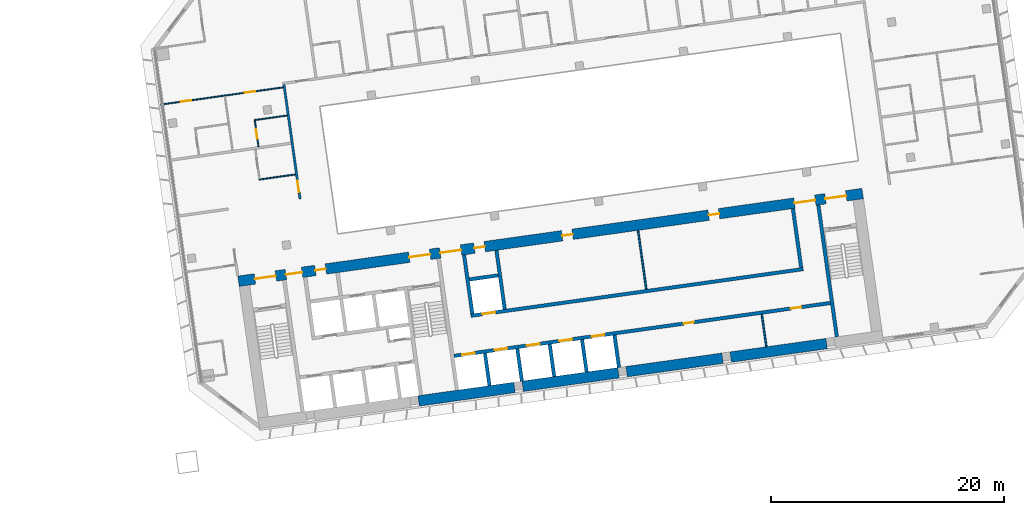
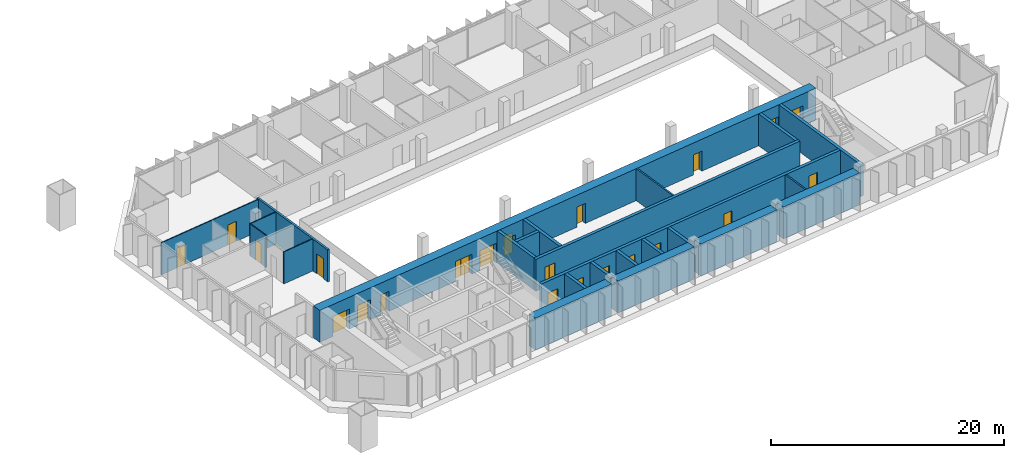
# One storey, part 19 of 24: 24 walls, 22 doors, 22 openings.
"""IFC4 building model written with IfcOpenShell, lengths in metres."""

from ifc_helpers import new_model, si_unit, direction, frame, frame_2d, origin, place, context, subcontext, project, spatial, rectangle, extrude, material, layer, layer_set, type_object, element, fill, save


model = new_model("IFC4")

# Units and contexts
model_context = context("Model", 3, precision=1e-05, world=origin(), true_north=direction((0.0, 1.0)))
body_context = subcontext(model_context, "Body", "Model", "MODEL_VIEW")
ifc_project = project(units=[si_unit("LENGTHUNIT", "METRE"), si_unit("AREAUNIT", "SQUARE_METRE"), si_unit("VOLUMEUNIT", "CUBIC_METRE"), si_unit("PLANEANGLEUNIT", "RADIAN"), si_unit("MASSUNIT", "GRAM", prefix="KILO")], contexts=[model_context])

# Site, building, storey
site_placement = place(None, origin())
site = spatial("IfcSite", under=ifc_project, at=site_placement, CompositionType="ELEMENT")
building_placement = place(site_placement, origin())
building = spatial("IfcBuilding", under=site, at=building_placement, Name="Mirante Cascada Hotel Towers", CompositionType="ELEMENT")
storey_placement = place(building_placement, frame((0.0, 0.0, 47.1)))
storey = spatial("IfcBuildingStorey", under=building, at=storey_placement, Name="L08", CompositionType="ELEMENT", Elevation=47.1)

# Wall, opening, door
ifc_material_1 = material(Name="Fire-rated plasterboard on metal studs")
ifc_layer_1 = layer(ifc_material_1, 0.2)
ifc_layer_set_1 = layer_set([ifc_layer_1], Name="Compartment wall 200 EI 120")
wall_type_1 = type_object("IfcWallType", Name="Compartment wall 200 EI 120", PredefinedType="PARTITIONING", material=ifc_layer_set_1)
wall_1_placement = place(storey_placement, frame((39.2181, 9.2928, 0.0), z_axis=(0.0, 0.0, 1.0), x_axis=(0.1391725, -0.9902682, 0.0)))
wall_1 = element("IfcWall", 1, at=wall_1_placement, inside=storey, type_object=wall_type_1, Name="Wall 2-L08-34", PredefinedType="PARTITIONING", context=body_context, shape_type="SweptSolid", body=[
    extrude(rectangle(XDim=9.8999, YDim=0.2, at=frame_2d((4.95, 0.0))), origin(), (0.0, 0.0, 1.0), 3.35),
])
opening_1_placement = place(wall_1_placement, frame((8.3333, 0.0, 0.0)))
opening_1 = element("IfcOpeningElement", 2, at=opening_1_placement, cuts=wall_1, Name="Opening D2-L08-33", PredefinedType="OPENING", context=body_context, shape_type="SweptSolid", body=[
    extrude(rectangle(XDim=1.0, YDim=2.1, at=frame_2d((0.5, 1.05))), frame((0.0, 0.1, 0.0), z_axis=(0.0, -1.0, 0.0), x_axis=(1.0, 0.0, 0.0)), (0.0, 0.0, 1.0), 0.2),
])
ifc_material_2 = material(Name="Fire-rated timber door leaf", Category="wood")
door_type_1 = type_object("IfcDoorType", Name="Entrance door DG1 1000x2100 EI 60", OperationType="SINGLE_SWING_LEFT", PredefinedType="DOOR", material=ifc_material_2)
door_1_placement = place(opening_1_placement, frame((1.0, 0.0, 0.0), z_axis=(0.0, 0.0, 1.0), x_axis=(-1.0, 0.0, 0.0)))
door_1 = element("IfcDoor", 3, at=door_1_placement, inside=storey, type_object=door_type_1, Name="Door D2-L08-33", OperationType="SINGLE_SWING_RIGHT", OverallHeight=2.1, OverallWidth=1.0, PredefinedType="DOOR", context=body_context, shape_type="SweptSolid", body=[
    extrude(rectangle(XDim=1.0, YDim=2.1, at=frame_2d((0.5, 1.05))), frame((0.0, 0.025, 0.0), z_axis=(0.0, -1.0, 0.0), x_axis=(1.0, 0.0, 0.0)), (0.0, 0.0, 1.0), 0.05),
])
fill(opening_1, door_1)

# Walls
ifc_material_3 = material(Name="Masonry block", Category="masonry")
ifc_layer_2 = layer(ifc_material_3, 0.15)
ifc_layer_set_2 = layer_set([ifc_layer_2], Name="Core room partition 150 block EI 30")
wall_type_2 = type_object("IfcWallType", Name="Core room partition 150 block EI 30", PredefinedType="PARTITIONING", material=ifc_layer_set_2)
wall_2_placement = place(storey_placement, frame((80.547, -13.174, 0.0), z_axis=(0.0, 0.0, 1.0), x_axis=(-0.139176, 0.9902677, 0.0)))
element("IfcWall", 4, at=wall_2_placement, inside=storey, type_object=wall_type_2, Name="Core wall partition T2 L08 4", PredefinedType="PARTITIONING", context=body_context, shape_type="SweptSolid", body=[
    extrude(rectangle(XDim=2.8001, YDim=0.15, at=frame_2d((1.4, 0.0))), origin(), (0.0, 0.0, 1.0), 3.35),
])
wall_3_placement = place(storey_placement, frame((70.2627, -8.2574, 0.0), z_axis=(0.0, 0.0, 1.0), x_axis=(-0.1391755, 0.9902677, 0.0)))
element("IfcWall", 5, at=wall_3_placement, inside=storey, type_object=wall_type_2, Name="Core wall partition T2 L08 5", PredefinedType="PARTITIONING", context=body_context, shape_type="SweptSolid", body=[
    extrude(rectangle(XDim=5.1, YDim=0.15, at=frame_2d((2.55, 0.0))), origin(), (0.0, 0.0, 1.0), 3.35),
])
ifc_material_4 = material(Name="Plasterboard on metal studs")
ifc_layer_3 = layer(ifc_material_4, 0.1)
ifc_layer_set_3 = layer_set([ifc_layer_3], Name="Partition 100")
wall_type_3 = type_object("IfcWallType", Name="Partition 100", PredefinedType="PARTITIONING", material=ifc_layer_set_3)
wall_4_placement = place(storey_placement, frame((40.1999, 1.5878, 0.0), z_axis=(0.0, 0.0, 1.0), x_axis=(-0.9902676, -0.1391765, 0.0)))
element("IfcWall", 6, at=wall_4_placement, inside=storey, type_object=wall_type_3, Name="Wall 2-L08-10", PredefinedType="PARTITIONING", context=body_context, shape_type="SweptSolid", body=[
    extrude(rectangle(XDim=3.15, YDim=0.1, at=frame_2d((1.575, 0.0))), origin(), (0.0, 0.0, 1.0), 3.35),
])
wall_5_placement = place(storey_placement, frame((39.4902, 6.6381, 0.0), z_axis=(0.0, 0.0, 1.0), x_axis=(-0.9902704, -0.1391564, 0.0)))
element("IfcWall", 7, at=wall_5_placement, inside=storey, type_object=wall_type_3, Name="Wall 2-L08-16", PredefinedType="PARTITIONING", context=body_context, shape_type="SweptSolid", body=[
    extrude(rectangle(XDim=2.85, YDim=0.1, at=frame_2d((1.425, 0.0))), origin(), (0.0, 0.0, 1.0), 3.35),
])

# Wall, openings, doors
wall_6_placement = place(storey_placement, frame((28.6547, 7.5726, 0.0), z_axis=(0.0, 0.0, 1.0), x_axis=(0.9902671, 0.1391797, 0.0)))
wall_6 = element("IfcWall", 8, at=wall_6_placement, inside=storey, type_object=wall_type_3, Name="Wall 2-L08-17", PredefinedType="PARTITIONING", context=body_context, shape_type="SweptSolid", body=[
    extrude(rectangle(XDim=10.6, YDim=0.1, at=frame_2d((5.3, 0.0))), origin(), (0.0, 0.0, 1.0), 3.35),
])
opening_2_placement = place(wall_6_placement, frame((1.725, 0.0, 0.0)))
opening_2 = element("IfcOpeningElement", 9, at=opening_2_placement, cuts=wall_6, Name="Opening D2-L08-07", PredefinedType="OPENING", context=body_context, shape_type="SweptSolid", body=[
    extrude(rectangle(XDim=0.9, YDim=2.1, at=frame_2d((0.45, 1.05))), frame((0.0, 0.05, 0.0), z_axis=(0.0, -1.0, 0.0), x_axis=(1.0, 0.0, 0.0)), (0.0, 0.0, 1.0), 0.1),
])
opening_3_placement = place(wall_6_placement, frame((7.275, 0.0, 0.0)))
opening_3 = element("IfcOpeningElement", 10, at=opening_3_placement, cuts=wall_6, Name="Opening D2-L08-08", PredefinedType="OPENING", context=body_context, shape_type="SweptSolid", body=[
    extrude(rectangle(XDim=0.9, YDim=2.1, at=frame_2d((0.45, 1.05))), frame((0.0, 0.05, 0.0), z_axis=(0.0, -1.0, 0.0), x_axis=(1.0, 0.0, 0.0)), (0.0, 0.0, 1.0), 0.1),
])
ifc_material_5 = material(Name="Timber door leaf", Category="wood")
door_type_2 = type_object("IfcDoorType", Name="Room door DG3 900x2100", OperationType="SINGLE_SWING_LEFT", PredefinedType="DOOR", material=ifc_material_5)
door_2_placement = place(opening_2_placement, origin())
door_2 = element("IfcDoor", 11, at=door_2_placement, inside=storey, type_object=door_type_2, Name="Door D2-L08-07", OperationType="SINGLE_SWING_LEFT", OverallHeight=2.1, OverallWidth=0.9, PredefinedType="DOOR", context=body_context, shape_type="SweptSolid", body=[
    extrude(rectangle(XDim=0.9, YDim=2.1, at=frame_2d((0.45, 1.05))), frame((0.0, 0.025, 0.0), z_axis=(0.0, -1.0, 0.0), x_axis=(1.0, 0.0, 0.0)), (0.0, 0.0, 1.0), 0.05),
])
fill(opening_2, door_2)
door_3_placement = place(opening_3_placement, origin())
door_3 = element("IfcDoor", 12, at=door_3_placement, inside=storey, type_object=door_type_2, Name="Door D2-L08-08", OperationType="SINGLE_SWING_LEFT", OverallHeight=2.1, OverallWidth=0.9, PredefinedType="DOOR", context=body_context, shape_type="SweptSolid", body=[
    extrude(rectangle(XDim=0.9, YDim=2.1, at=frame_2d((0.45, 1.05))), frame((0.0, 0.025, 0.0), z_axis=(0.0, -1.0, 0.0), x_axis=(1.0, 0.0, 0.0)), (0.0, 0.0, 1.0), 0.05),
])
fill(opening_3, door_3)

# Wall, opening, door
wall_7_placement = place(storey_placement, frame((37.0375, 3.9708, 0.0), z_axis=(0.0, 0.0, 1.0), x_axis=(-0.1391561, 0.9902705, 0.0)))
wall_7 = element("IfcWall", 13, at=wall_7_placement, inside=storey, type_object=wall_type_3, Name="Wall 2-L08-33", PredefinedType="PARTITIONING", context=body_context, shape_type="SweptSolid", body=[
    extrude(rectangle(XDim=2.25, YDim=0.1, at=frame_2d((1.125, 0.0))), origin(), (0.0, 0.0, 1.0), 3.35),
])
opening_4_placement = place(wall_7_placement, frame((0.7, 0.0, 0.0)))
opening_4 = element("IfcOpeningElement", 14, at=opening_4_placement, cuts=wall_7, Name="Opening D2-L08-32", PredefinedType="OPENING", context=body_context, shape_type="SweptSolid", body=[
    extrude(rectangle(XDim=0.8, YDim=2.1, at=frame_2d((0.4, 1.05))), frame((0.0, 0.05, 0.0), z_axis=(0.0, -1.0, 0.0), x_axis=(1.0, 0.0, 0.0)), (0.0, 0.0, 1.0), 0.1),
])
ifc_material_6 = material(Name="Timber door leaf", Category="wood")
door_type_3 = type_object("IfcDoorType", Name="Bathroom door DG4 800x2100", OperationType="SINGLE_SWING_LEFT", PredefinedType="DOOR", material=ifc_material_6)
door_4_placement = place(opening_4_placement, frame((0.8, 0.0, 0.0), z_axis=(0.0, 0.0, 1.0), x_axis=(-1.0, 0.0, 0.0)))
door_4 = element("IfcDoor", 15, at=door_4_placement, inside=storey, type_object=door_type_3, Name="Door D2-L08-32", OperationType="SINGLE_SWING_RIGHT", OverallHeight=2.1, OverallWidth=0.8, PredefinedType="DOOR", context=body_context, shape_type="SweptSolid", body=[
    extrude(rectangle(XDim=0.8, YDim=2.1, at=frame_2d((0.4, 1.05))), frame((0.0, 0.025, 0.0), z_axis=(0.0, -1.0, 0.0), x_axis=(1.0, 0.0, 0.0)), (0.0, 0.0, 1.0), 0.05),
])
fill(opening_4, door_4)

# Wall
ifc_material_7 = material(Name="Concrete C50/60", Category="concrete")
ifc_layer_4 = layer(ifc_material_7, 0.3)
ifc_layer_set_4 = layer_set([ifc_layer_4], Name="RC core wall 300 C50/60")
wall_type_4 = type_object("IfcWallType", Name="RC core wall 300 C50/60", PredefinedType="SHEAR", material=ifc_layer_set_4)
wall_8_placement = place(storey_placement, frame((86.5877, -12.325, 0.0), z_axis=(0.0, 0.0, 1.0), x_axis=(-0.1391749, 0.9902678, 0.0)))
element("IfcWall", 16, at=wall_8_placement, inside=storey, type_object=wall_type_4, Name="Core wall T2:L08:8", PredefinedType="SHEAR", context=body_context, shape_type="SweptSolid", body=[
    extrude(rectangle(XDim=11.4, YDim=0.3, at=frame_2d((5.7, 0.0))), origin(), (0.0, 0.0, 1.0), 3.35),
])

# Wall, openings, doors
wall_9_placement = place(storey_placement, frame((53.7953, -13.9547, 0.0), z_axis=(0.0, 0.0, 1.0), x_axis=(0.990268, 0.1391733, 0.0)))
wall_9 = element("IfcWall", 17, at=wall_9_placement, inside=storey, type_object=wall_type_4, Name="Core wall T2:L08:24", PredefinedType="SHEAR", context=body_context, shape_type="SweptSolid", body=[
    extrude(rectangle(XDim=32.5501, YDim=0.3, at=frame_2d((16.275, 0.0))), origin(), (0.0, 0.0, 1.0), 3.35),
])
opening_5_placement = place(wall_9_placement, frame((0.7, 0.0, 0.0)))
opening_5 = element("IfcOpeningElement", 18, at=opening_5_placement, cuts=wall_9, Name="Opening LD", PredefinedType="OPENING", context=body_context, shape_type="SweptSolid", body=[
    extrude(rectangle(XDim=1.1, YDim=2.1, at=frame_2d((0.55, 1.05))), frame((0.0, 0.15, 0.0), z_axis=(0.0, -1.0, 0.0), x_axis=(1.0, 0.0, 0.0)), (0.0, 0.0, 1.0), 0.3),
])
opening_6_placement = place(wall_9_placement, frame((3.5, 0.0, 0.0)))
opening_6 = element("IfcOpeningElement", 19, at=opening_6_placement, cuts=wall_9, Name="Opening LD", PredefinedType="OPENING", context=body_context, shape_type="SweptSolid", body=[
    extrude(rectangle(XDim=1.1, YDim=2.1, at=frame_2d((0.55, 1.05))), frame((0.0, 0.15, 0.0), z_axis=(0.0, -1.0, 0.0), x_axis=(1.0, 0.0, 0.0)), (0.0, 0.0, 1.0), 0.3),
])
opening_7_placement = place(wall_9_placement, frame((6.3, 0.0, 0.0)))
opening_7 = element("IfcOpeningElement", 20, at=opening_7_placement, cuts=wall_9, Name="Opening LD", PredefinedType="OPENING", context=body_context, shape_type="SweptSolid", body=[
    extrude(rectangle(XDim=1.1, YDim=2.1, at=frame_2d((0.55, 1.05))), frame((0.0, 0.15, 0.0), z_axis=(0.0, -1.0, 0.0), x_axis=(1.0, 0.0, 0.0)), (0.0, 0.0, 1.0), 0.3),
])
opening_8_placement = place(wall_9_placement, frame((9.1, 0.0, 0.0)))
opening_8 = element("IfcOpeningElement", 21, at=opening_8_placement, cuts=wall_9, Name="Opening LD", PredefinedType="OPENING", context=body_context, shape_type="SweptSolid", body=[
    extrude(rectangle(XDim=1.1, YDim=2.1, at=frame_2d((0.55, 1.05))), frame((0.0, 0.15, 0.0), z_axis=(0.0, -1.0, 0.0), x_axis=(1.0, 0.0, 0.0)), (0.0, 0.0, 1.0), 0.3),
])
opening_9_placement = place(wall_9_placement, frame((11.9, 0.0, 0.0)))
opening_9 = element("IfcOpeningElement", 22, at=opening_9_placement, cuts=wall_9, Name="Opening LD", PredefinedType="OPENING", context=body_context, shape_type="SweptSolid", body=[
    extrude(rectangle(XDim=1.1, YDim=2.1, at=frame_2d((0.55, 1.05))), frame((0.0, 0.15, 0.0), z_axis=(0.0, -1.0, 0.0), x_axis=(1.0, 0.0, 0.0)), (0.0, 0.0, 1.0), 0.3),
])
opening_10_placement = place(wall_9_placement, frame((19.85, 0.0, 0.0)))
opening_10 = element("IfcOpeningElement", 23, at=opening_10_placement, cuts=wall_9, Name="Opening D2-08-C25", PredefinedType="OPENING", context=body_context, shape_type="SweptSolid", body=[
    extrude(rectangle(XDim=0.9, YDim=2.1, at=frame_2d((0.45, 1.05))), frame((0.0, 0.15, 0.0), z_axis=(0.0, -1.0, 0.0), x_axis=(1.0, 0.0, 0.0)), (0.0, 0.0, 1.0), 0.3),
])
opening_11_placement = place(wall_9_placement, frame((29.125, 0.0, 0.0)))
opening_11 = element("IfcOpeningElement", 24, at=opening_11_placement, cuts=wall_9, Name="Opening D2-08-C26", PredefinedType="OPENING", context=body_context, shape_type="SweptSolid", body=[
    extrude(rectangle(XDim=0.9, YDim=2.1, at=frame_2d((0.45, 1.05))), frame((0.0, 0.15, 0.0), z_axis=(0.0, -1.0, 0.0), x_axis=(1.0, 0.0, 0.0)), (0.0, 0.0, 1.0), 0.3),
])
ifc_material_8 = material(Name="Hollow metal fire door leaf")
door_type_4 = type_object("IfcDoorType", Name="Fire door 900x2100 FD60", OperationType="NOTDEFINED", PredefinedType="DOOR", material=ifc_material_8)
door_5_placement = place(opening_10_placement, frame((0.9, 0.0, 0.0), z_axis=(0.0, 0.0, 1.0), x_axis=(-1.0, 0.0, 0.0)))
door_5 = element("IfcDoor", 25, at=door_5_placement, inside=storey, type_object=door_type_4, Name="Room door T2 L08 25", OperationType="SINGLE_SWING_RIGHT", OverallHeight=2.1, OverallWidth=0.9, PredefinedType="DOOR", context=body_context, shape_type="SweptSolid", body=[
    extrude(rectangle(XDim=0.9, YDim=2.1, at=frame_2d((0.45, 1.05))), frame((0.0, 0.025, 0.0), z_axis=(0.0, -1.0, 0.0), x_axis=(1.0, 0.0, 0.0)), (0.0, 0.0, 1.0), 0.05),
])
fill(opening_10, door_5)
door_6_placement = place(opening_11_placement, frame((0.9, 0.0, 0.0), z_axis=(0.0, 0.0, 1.0), x_axis=(-1.0, 0.0, 0.0)))
door_6 = element("IfcDoor", 26, at=door_6_placement, inside=storey, type_object=door_type_4, Name="Room door T2 L08 26", OperationType="SINGLE_SWING_RIGHT", OverallHeight=2.1, OverallWidth=0.9, PredefinedType="DOOR", context=body_context, shape_type="SweptSolid", body=[
    extrude(rectangle(XDim=0.9, YDim=2.1, at=frame_2d((0.45, 1.05))), frame((0.0, 0.025, 0.0), z_axis=(0.0, -1.0, 0.0), x_axis=(1.0, 0.0, 0.0)), (0.0, 0.0, 1.0), 0.05),
])
fill(opening_11, door_6)
ifc_material_9 = material(Name="Stainless steel", Category="steel")
door_type_5 = type_object("IfcDoorType", Name="Lift landing door 1100x2100 EI 120", OperationType="DOUBLE_DOOR_SLIDING", PredefinedType="DOOR", material=ifc_material_9)
door_7_placement = place(opening_5_placement, origin())
door_7 = element("IfcDoor", 27, at=door_7_placement, inside=storey, type_object=door_type_5, Name="Lift landing door LR2-1 L08", OperationType="DOUBLE_DOOR_SLIDING", OverallHeight=2.1, OverallWidth=1.1, PredefinedType="DOOR", context=body_context, shape_type="SweptSolid", body=[
    extrude(rectangle(XDim=0.545, YDim=2.1, at=frame_2d((0.2725, 1.05))), frame((0.0, 0.025, 0.0), z_axis=(0.0, -1.0, 0.0), x_axis=(1.0, 0.0, 0.0)), (0.0, 0.0, 1.0), 0.05),
    extrude(rectangle(XDim=0.545, YDim=2.1, at=frame_2d((0.8275, 1.05))), frame((0.0, 0.025, 0.0), z_axis=(0.0, -1.0, 0.0), x_axis=(1.0, 0.0, 0.0)), (0.0, 0.0, 1.0), 0.05),
])
fill(opening_5, door_7)
door_8_placement = place(opening_6_placement, origin())
door_8 = element("IfcDoor", 28, at=door_8_placement, inside=storey, type_object=door_type_5, Name="Lift landing door LR2-2 L08", OperationType="DOUBLE_DOOR_SLIDING", OverallHeight=2.1, OverallWidth=1.1, PredefinedType="DOOR", context=body_context, shape_type="SweptSolid", body=[
    extrude(rectangle(XDim=0.545, YDim=2.1, at=frame_2d((0.2725, 1.05))), frame((0.0, 0.025, 0.0), z_axis=(0.0, -1.0, 0.0), x_axis=(1.0, 0.0, 0.0)), (0.0, 0.0, 1.0), 0.05),
    extrude(rectangle(XDim=0.545, YDim=2.1, at=frame_2d((0.8275, 1.05))), frame((0.0, 0.025, 0.0), z_axis=(0.0, -1.0, 0.0), x_axis=(1.0, 0.0, 0.0)), (0.0, 0.0, 1.0), 0.05),
])
fill(opening_6, door_8)
door_9_placement = place(opening_7_placement, origin())
door_9 = element("IfcDoor", 29, at=door_9_placement, inside=storey, type_object=door_type_5, Name="Lift landing door SV2-1 L08", OperationType="DOUBLE_DOOR_SLIDING", OverallHeight=2.1, OverallWidth=1.1, PredefinedType="DOOR", context=body_context, shape_type="SweptSolid", body=[
    extrude(rectangle(XDim=0.545, YDim=2.1, at=frame_2d((0.2725, 1.05))), frame((0.0, 0.025, 0.0), z_axis=(0.0, -1.0, 0.0), x_axis=(1.0, 0.0, 0.0)), (0.0, 0.0, 1.0), 0.05),
    extrude(rectangle(XDim=0.545, YDim=2.1, at=frame_2d((0.8275, 1.05))), frame((0.0, 0.025, 0.0), z_axis=(0.0, -1.0, 0.0), x_axis=(1.0, 0.0, 0.0)), (0.0, 0.0, 1.0), 0.05),
])
fill(opening_7, door_9)
door_10_placement = place(opening_8_placement, origin())
door_10 = element("IfcDoor", 30, at=door_10_placement, inside=storey, type_object=door_type_5, Name="Lift landing door SV2-2 L08", OperationType="DOUBLE_DOOR_SLIDING", OverallHeight=2.1, OverallWidth=1.1, PredefinedType="DOOR", context=body_context, shape_type="SweptSolid", body=[
    extrude(rectangle(XDim=0.545, YDim=2.1, at=frame_2d((0.2725, 1.05))), frame((0.0, 0.025, 0.0), z_axis=(0.0, -1.0, 0.0), x_axis=(1.0, 0.0, 0.0)), (0.0, 0.0, 1.0), 0.05),
    extrude(rectangle(XDim=0.545, YDim=2.1, at=frame_2d((0.8275, 1.05))), frame((0.0, 0.025, 0.0), z_axis=(0.0, -1.0, 0.0), x_axis=(1.0, 0.0, 0.0)), (0.0, 0.0, 1.0), 0.05),
])
fill(opening_8, door_10)
door_11_placement = place(opening_9_placement, origin())
door_11 = element("IfcDoor", 31, at=door_11_placement, inside=storey, type_object=door_type_5, Name="Lift landing door SV2-3 L08", OperationType="DOUBLE_DOOR_SLIDING", OverallHeight=2.1, OverallWidth=1.1, PredefinedType="DOOR", context=body_context, shape_type="SweptSolid", body=[
    extrude(rectangle(XDim=0.545, YDim=2.1, at=frame_2d((0.2725, 1.05))), frame((0.0, 0.025, 0.0), z_axis=(0.0, -1.0, 0.0), x_axis=(1.0, 0.0, 0.0)), (0.0, 0.0, 1.0), 0.05),
    extrude(rectangle(XDim=0.545, YDim=2.1, at=frame_2d((0.8275, 1.05))), frame((0.0, 0.025, 0.0), z_axis=(0.0, -1.0, 0.0), x_axis=(1.0, 0.0, 0.0)), (0.0, 0.0, 1.0), 0.05),
])
fill(opening_9, door_11)

# Walls
for number, where, z_axis, x_axis, name in (
    (32, (56.8301, -16.5072, 0.0), (0.0, 0.0, 1.0), (-0.139176, 0.9902677, 0.0), "Core wall T2:L08:25"),
    (33, (59.6029, -16.1175, 0.0), (0.0, 0.0, 1.0), (-0.139176, 0.9902677, 0.0), "Core wall T2:L08:26"),
    (34, (62.3756, -15.7278, 0.0), (0.0, 0.0, 1.0), (-0.139176, 0.9902677, 0.0), "Core wall T2:L08:27"),
    (35, (65.1484, -15.3381, 0.0), (0.0, 0.0, 1.0), (-0.139176, 0.9902677, 0.0), "Core wall T2:L08:28"),
):
    element("IfcWall", number, at=place(storey_placement, frame(where, z_axis=z_axis, x_axis=x_axis)), inside=storey, type_object=wall_type_4, Name=name, PredefinedType="SHEAR", context=body_context, shape_type="SweptSolid", body=[
        extrude(rectangle(XDim=2.8001, YDim=0.3, at=frame_2d((1.4, 0.0))), origin(), (0.0, 0.0, 1.0), 3.35),
    ])
wall_10_placement = place(storey_placement, frame((67.9211, -14.9484, 0.0), z_axis=(0.0, 0.0, 1.0), x_axis=(-0.139181, 0.990267, 0.0)))
element("IfcWall", 36, at=wall_10_placement, inside=storey, type_object=wall_type_4, Name="Core wall T2:L08:29", PredefinedType="SHEAR", context=body_context, shape_type="SweptSolid", body=[
    extrude(rectangle(XDim=2.8, YDim=0.3, at=frame_2d((1.4, 0.0))), origin(), (0.0, 0.0, 1.0), 3.35),
])

# Wall, opening, door
wall_11_placement = place(storey_placement, frame((55.2315, -10.5214, 0.0), z_axis=(0.0, 0.0, 1.0), x_axis=(0.9902682, 0.1391722, 0.0)))
wall_11 = element("IfcWall", 37, at=wall_11_placement, inside=storey, type_object=wall_type_4, Name="Core wall T2:L08:31", PredefinedType="SHEAR", context=body_context, shape_type="SweptSolid", body=[
    extrude(rectangle(XDim=28.75, YDim=0.3, at=frame_2d((14.375, 0.0))), origin(), (0.0, 0.0, 1.0), 3.35),
])
opening_12_placement = place(wall_11_placement, frame((1.0, 0.0, 0.0)))
opening_12 = element("IfcOpeningElement", 38, at=opening_12_placement, cuts=wall_11, Name="Opening LD", PredefinedType="OPENING", context=body_context, shape_type="SweptSolid", body=[
    extrude(rectangle(XDim=1.1, YDim=2.1, at=frame_2d((0.55, 1.05))), frame((0.0, 0.15, 0.0), z_axis=(0.0, -1.0, 0.0), x_axis=(1.0, 0.0, 0.0)), (0.0, 0.0, 1.0), 0.3),
])
door_12_placement = place(opening_12_placement, origin())
door_12 = element("IfcDoor", 39, at=door_12_placement, inside=storey, type_object=door_type_5, Name="Lift landing door LR2-3 L08", OperationType="DOUBLE_DOOR_SLIDING", OverallHeight=2.1, OverallWidth=1.1, PredefinedType="DOOR", context=body_context, shape_type="SweptSolid", body=[
    extrude(rectangle(XDim=0.545, YDim=2.1, at=frame_2d((0.2725, 1.05))), frame((0.0, 0.025, 0.0), z_axis=(0.0, -1.0, 0.0), x_axis=(1.0, 0.0, 0.0)), (0.0, 0.0, 1.0), 0.05),
    extrude(rectangle(XDim=0.545, YDim=2.1, at=frame_2d((0.8275, 1.05))), frame((0.0, 0.025, 0.0), z_axis=(0.0, -1.0, 0.0), x_axis=(1.0, 0.0, 0.0)), (0.0, 0.0, 1.0), 0.05),
])
fill(opening_12, door_12)

# Walls
for number, where, z_axis, x_axis, name in (
    (40, (55.3592, -10.352, 0.0), (0.0, 0.0, 1.0), (-0.1391755, 0.9902677, 0.0), "Core wall T2:L08:32"),
    (41, (83.5323, -6.3925, 0.0), (0.0, 0.0, 1.0), (-0.1391755, 0.9902677, 0.0), "Core wall T2:L08:33"),
    (42, (58.1319, -9.9623, 0.0), (0.0, 0.0, 1.0), (-0.1391755, 0.9902677, 0.0), "Core wall T2:L08:34"),
):
    element("IfcWall", number, at=place(storey_placement, frame(where, z_axis=z_axis, x_axis=x_axis)), inside=storey, type_object=wall_type_4, Name=name, PredefinedType="SHEAR", context=body_context, shape_type="SweptSolid", body=[
        extrude(rectangle(XDim=5.1, YDim=0.3, at=frame_2d((2.55, 0.0))), origin(), (0.0, 0.0, 1.0), 3.35),
    ])
wall_12_placement = place(storey_placement, frame((55.0971, -7.4098, 0.0), z_axis=(0.0, 0.0, 1.0), x_axis=(0.9902701, 0.1391586, 0.0)))
element("IfcWall", 43, at=wall_12_placement, inside=storey, type_object=wall_type_4, Name="Core wall T2:L08:35", PredefinedType="SHEAR", context=body_context, shape_type="SweptSolid", body=[
    extrude(rectangle(XDim=2.5, YDim=0.3, at=frame_2d((1.25, 0.0))), origin(), (0.0, 0.0, 1.0), 3.35),
])
ifc_material_10 = material(Name="Concrete C50/60", Category="concrete")
ifc_layer_5 = layer(ifc_material_10, 0.9)
ifc_layer_set_5 = layer_set([ifc_layer_5], Name="RC core wall 900 C50/60")
wall_type_5 = type_object("IfcWallType", Name="RC core wall 900 C50/60", PredefinedType="SHEAR", material=ifc_layer_set_5)
for number, where, z_axis, x_axis, name in (
    (44, (50.7531, -17.8156, 0.0), (0.0, 0.0, 1.0), (0.9902686, 0.1391692, 0.0), "Core wall T2:L08:1.3"),
    (45, (59.6655, -16.5631, 0.0), (0.0, 0.0, 1.0), (0.9902686, 0.1391692, 0.0), "Core wall T2:L08:1.4"),
    (46, (68.5779, -15.3105, 0.0), (0.0, 0.0, 1.0), (0.9902686, 0.1391692, 0.0), "Core wall T2:L08:1.5"),
    (47, (77.4903, -14.058, 0.0), (0.0, 0.0, 1.0), (0.990267, 0.139181, 0.0), "Core wall T2:L08:1.6"),
):
    element("IfcWall", number, at=place(storey_placement, frame(where, z_axis=z_axis, x_axis=x_axis)), inside=storey, type_object=wall_type_5, Name=name, PredefinedType="SHEAR", context=body_context, shape_type="SweptSolid", body=[
        extrude(rectangle(XDim=8.3, YDim=0.9, at=frame_2d((4.15, 0.0))), origin(), (0.0, 0.0, 1.0), 3.35),
    ])

# Wall, openings, doors
wall_13_placement = place(storey_placement, frame((35.326, -7.5629, 0.0), z_axis=(0.0, 0.0, 1.0), x_axis=(0.9902679, 0.139174, 0.0)))
wall_13 = element("IfcWall", 48, at=wall_13_placement, inside=storey, type_object=wall_type_5, Name="Core wall T2:L08:2", PredefinedType="SHEAR", context=body_context, shape_type="SweptSolid", body=[
    extrude(rectangle(XDim=54.0, YDim=0.9, at=frame_2d((27.0, 0.0))), origin(), (0.0, 0.0, 1.0), 3.35),
])
opening_13_placement = place(wall_13_placement, frame((1.425, 0.0, 0.0)))
opening_13 = element("IfcOpeningElement", 49, at=opening_13_placement, cuts=wall_13, Name="Opening D2-08-C14", PredefinedType="OPENING", context=body_context, shape_type="SweptSolid", body=[
    extrude(rectangle(XDim=1.8, YDim=2.1, at=frame_2d((0.9, 1.05))), frame((0.0, 0.45, 0.0), z_axis=(0.0, -1.0, 0.0), x_axis=(1.0, 0.0, 0.0)), (0.0, 0.0, 1.0), 0.9),
])
opening_14_placement = place(wall_13_placement, frame((14.775, 0.0, 0.0)))
opening_14 = element("IfcOpeningElement", 50, at=opening_14_placement, cuts=wall_13, Name="Opening D2-08-C16", PredefinedType="OPENING", context=body_context, shape_type="SweptSolid", body=[
    extrude(rectangle(XDim=1.8, YDim=2.1, at=frame_2d((0.9, 1.05))), frame((0.0, 0.45, 0.0), z_axis=(0.0, -1.0, 0.0), x_axis=(1.0, 0.0, 0.0)), (0.0, 0.0, 1.0), 0.9),
])
opening_15_placement = place(wall_13_placement, frame((50.775, 0.0, 0.0)))
opening_15 = element("IfcOpeningElement", 51, at=opening_15_placement, cuts=wall_13, Name="Opening D2-08-C18", PredefinedType="OPENING", context=body_context, shape_type="SweptSolid", body=[
    extrude(rectangle(XDim=1.8, YDim=2.1, at=frame_2d((0.9, 1.05))), frame((0.0, 0.45, 0.0), z_axis=(0.0, -1.0, 0.0), x_axis=(1.0, 0.0, 0.0)), (0.0, 0.0, 1.0), 0.9),
])
opening_16_placement = place(wall_13_placement, frame((4.1, 0.0, 0.0)))
opening_16 = element("IfcOpeningElement", 52, at=opening_16_placement, cuts=wall_13, Name="Opening D2-08-C19", PredefinedType="OPENING", context=body_context, shape_type="SweptSolid", body=[
    extrude(rectangle(XDim=1.4, YDim=2.1, at=frame_2d((0.7, 1.05))), frame((0.0, 0.45, 0.0), z_axis=(0.0, -1.0, 0.0), x_axis=(1.0, 0.0, 0.0)), (0.0, 0.0, 1.0), 0.9),
])
opening_17_placement = place(wall_13_placement, frame((17.45, 0.0, 0.0)))
opening_17 = element("IfcOpeningElement", 53, at=opening_17_placement, cuts=wall_13, Name="Opening D2-08-C20", PredefinedType="OPENING", context=body_context, shape_type="SweptSolid", body=[
    extrude(rectangle(XDim=1.8, YDim=2.1, at=frame_2d((0.9, 1.05))), frame((0.0, 0.45, 0.0), z_axis=(0.0, -1.0, 0.0), x_axis=(1.0, 0.0, 0.0)), (0.0, 0.0, 1.0), 0.9),
])
opening_18_placement = place(wall_13_placement, frame((48.1, 0.0, 0.0)))
opening_18 = element("IfcOpeningElement", 54, at=opening_18_placement, cuts=wall_13, Name="Opening D2-08-C21", PredefinedType="OPENING", context=body_context, shape_type="SweptSolid", body=[
    extrude(rectangle(XDim=1.8, YDim=2.1, at=frame_2d((0.9, 1.05))), frame((0.0, 0.45, 0.0), z_axis=(0.0, -1.0, 0.0), x_axis=(1.0, 0.0, 0.0)), (0.0, 0.0, 1.0), 0.9),
])
opening_19_placement = place(wall_13_placement, frame((6.65, 0.0, 0.0)))
opening_19 = element("IfcOpeningElement", 55, at=opening_19_placement, cuts=wall_13, Name="Opening D2-08-C24", PredefinedType="OPENING", context=body_context, shape_type="SweptSolid", body=[
    extrude(rectangle(XDim=0.9, YDim=2.1, at=frame_2d((0.45, 1.05))), frame((0.0, 0.45, 0.0), z_axis=(0.0, -1.0, 0.0), x_axis=(1.0, 0.0, 0.0)), (0.0, 0.0, 1.0), 0.9),
])
opening_20_placement = place(wall_13_placement, frame((20.4, 0.0, 0.0)))
opening_20 = element("IfcOpeningElement", 56, at=opening_20_placement, cuts=wall_13, Name="Opening D2-08-C27", PredefinedType="OPENING", context=body_context, shape_type="SweptSolid", body=[
    extrude(rectangle(XDim=0.9, YDim=2.1, at=frame_2d((0.45, 1.05))), frame((0.0, 0.45, 0.0), z_axis=(0.0, -1.0, 0.0), x_axis=(1.0, 0.0, 0.0)), (0.0, 0.0, 1.0), 0.9),
])
opening_21_placement = place(wall_13_placement, frame((28.0, 0.0, 0.0)))
opening_21 = element("IfcOpeningElement", 57, at=opening_21_placement, cuts=wall_13, Name="Opening D2-08-C28", PredefinedType="OPENING", context=body_context, shape_type="SweptSolid", body=[
    extrude(rectangle(XDim=0.9, YDim=2.1, at=frame_2d((0.45, 1.05))), frame((0.0, 0.45, 0.0), z_axis=(0.0, -1.0, 0.0), x_axis=(1.0, 0.0, 0.0)), (0.0, 0.0, 1.0), 0.9),
])
opening_22_placement = place(wall_13_placement, frame((40.675, 0.0, 0.0)))
opening_22 = element("IfcOpeningElement", 58, at=opening_22_placement, cuts=wall_13, Name="Opening D2-08-C29", PredefinedType="OPENING", context=body_context, shape_type="SweptSolid", body=[
    extrude(rectangle(XDim=0.9, YDim=2.1, at=frame_2d((0.45, 1.05))), frame((0.0, 0.45, 0.0), z_axis=(0.0, -1.0, 0.0), x_axis=(1.0, 0.0, 0.0)), (0.0, 0.0, 1.0), 0.9),
])
ifc_material_11 = material(Name="Hollow metal fire door leaf")
door_type_6 = type_object("IfcDoorType", Name="Double fire door 1400x2100 FD60", OperationType="DOUBLE_DOOR_SINGLE_SWING", PredefinedType="DOOR", material=ifc_material_11)
door_13_placement = place(opening_16_placement, origin())
door_13 = element("IfcDoor", 59, at=door_13_placement, inside=storey, type_object=door_type_6, Name="Exit door to gallery T2 L08 19", OperationType="DOUBLE_DOOR_SINGLE_SWING", OverallHeight=2.1, OverallWidth=1.4, PredefinedType="DOOR", context=body_context, shape_type="SweptSolid", body=[
    extrude(rectangle(XDim=0.695, YDim=2.1, at=frame_2d((0.3475, 1.05))), frame((0.0, 0.025, 0.0), z_axis=(0.0, -1.0, 0.0), x_axis=(1.0, 0.0, 0.0)), (0.0, 0.0, 1.0), 0.05),
    extrude(rectangle(XDim=0.695, YDim=2.1, at=frame_2d((1.0525, 1.05))), frame((0.0, 0.025, 0.0), z_axis=(0.0, -1.0, 0.0), x_axis=(1.0, 0.0, 0.0)), (0.0, 0.0, 1.0), 0.05),
])
fill(opening_16, door_13)
ifc_material_12 = material(Name="Hollow metal fire door leaf")
door_type_7 = type_object("IfcDoorType", Name="Double fire door 1800x2100 FD60", OperationType="DOUBLE_DOOR_SINGLE_SWING", PredefinedType="DOOR", material=ifc_material_12)
door_14_placement = place(opening_13_placement, frame((1.8, 0.0, 0.0), z_axis=(0.0, 0.0, 1.0), x_axis=(-1.0, 0.0, 0.0)))
door_14 = element("IfcDoor", 60, at=door_14_placement, inside=storey, type_object=door_type_7, Name="Exit door to gallery T2 L08 14", OperationType="DOUBLE_DOOR_SINGLE_SWING", OverallHeight=2.1, OverallWidth=1.8, PredefinedType="DOOR", context=body_context, shape_type="SweptSolid", body=[
    extrude(rectangle(XDim=0.895, YDim=2.1, at=frame_2d((0.4475, 1.05))), frame((0.0, 0.025, 0.0), z_axis=(0.0, -1.0, 0.0), x_axis=(1.0, 0.0, 0.0)), (0.0, 0.0, 1.0), 0.05),
    extrude(rectangle(XDim=0.895, YDim=2.1, at=frame_2d((1.3525, 1.05))), frame((0.0, 0.025, 0.0), z_axis=(0.0, -1.0, 0.0), x_axis=(1.0, 0.0, 0.0)), (0.0, 0.0, 1.0), 0.05),
])
fill(opening_13, door_14)
door_15_placement = place(opening_14_placement, frame((1.8, 0.0, 0.0), z_axis=(0.0, 0.0, 1.0), x_axis=(-1.0, 0.0, 0.0)))
door_15 = element("IfcDoor", 61, at=door_15_placement, inside=storey, type_object=door_type_7, Name="Exit door to gallery T2 L08 16", OperationType="DOUBLE_DOOR_SINGLE_SWING", OverallHeight=2.1, OverallWidth=1.8, PredefinedType="DOOR", context=body_context, shape_type="SweptSolid", body=[
    extrude(rectangle(XDim=0.895, YDim=2.1, at=frame_2d((0.4475, 1.05))), frame((0.0, 0.025, 0.0), z_axis=(0.0, -1.0, 0.0), x_axis=(1.0, 0.0, 0.0)), (0.0, 0.0, 1.0), 0.05),
    extrude(rectangle(XDim=0.895, YDim=2.1, at=frame_2d((1.3525, 1.05))), frame((0.0, 0.025, 0.0), z_axis=(0.0, -1.0, 0.0), x_axis=(1.0, 0.0, 0.0)), (0.0, 0.0, 1.0), 0.05),
])
fill(opening_14, door_15)
door_16_placement = place(opening_15_placement, frame((1.8, 0.0, 0.0), z_axis=(0.0, 0.0, 1.0), x_axis=(-1.0, 0.0, 0.0)))
door_16 = element("IfcDoor", 62, at=door_16_placement, inside=storey, type_object=door_type_7, Name="Exit door to gallery T2 L08 18", OperationType="DOUBLE_DOOR_SINGLE_SWING", OverallHeight=2.1, OverallWidth=1.8, PredefinedType="DOOR", context=body_context, shape_type="SweptSolid", body=[
    extrude(rectangle(XDim=0.895, YDim=2.1, at=frame_2d((0.4475, 1.05))), frame((0.0, 0.025, 0.0), z_axis=(0.0, -1.0, 0.0), x_axis=(1.0, 0.0, 0.0)), (0.0, 0.0, 1.0), 0.05),
    extrude(rectangle(XDim=0.895, YDim=2.1, at=frame_2d((1.3525, 1.05))), frame((0.0, 0.025, 0.0), z_axis=(0.0, -1.0, 0.0), x_axis=(1.0, 0.0, 0.0)), (0.0, 0.0, 1.0), 0.05),
])
fill(opening_15, door_16)
door_17_placement = place(opening_17_placement, origin())
door_17 = element("IfcDoor", 63, at=door_17_placement, inside=storey, type_object=door_type_7, Name="Exit door to gallery T2 L08 20", OperationType="DOUBLE_DOOR_SINGLE_SWING", OverallHeight=2.1, OverallWidth=1.8, PredefinedType="DOOR", context=body_context, shape_type="SweptSolid", body=[
    extrude(rectangle(XDim=0.895, YDim=2.1, at=frame_2d((0.4475, 1.05))), frame((0.0, 0.025, 0.0), z_axis=(0.0, -1.0, 0.0), x_axis=(1.0, 0.0, 0.0)), (0.0, 0.0, 1.0), 0.05),
    extrude(rectangle(XDim=0.895, YDim=2.1, at=frame_2d((1.3525, 1.05))), frame((0.0, 0.025, 0.0), z_axis=(0.0, -1.0, 0.0), x_axis=(1.0, 0.0, 0.0)), (0.0, 0.0, 1.0), 0.05),
])
fill(opening_17, door_17)
door_18_placement = place(opening_18_placement, origin())
door_18 = element("IfcDoor", 64, at=door_18_placement, inside=storey, type_object=door_type_7, Name="Exit door to gallery T2 L08 21", OperationType="DOUBLE_DOOR_SINGLE_SWING", OverallHeight=2.1, OverallWidth=1.8, PredefinedType="DOOR", context=body_context, shape_type="SweptSolid", body=[
    extrude(rectangle(XDim=0.895, YDim=2.1, at=frame_2d((0.4475, 1.05))), frame((0.0, 0.025, 0.0), z_axis=(0.0, -1.0, 0.0), x_axis=(1.0, 0.0, 0.0)), (0.0, 0.0, 1.0), 0.05),
    extrude(rectangle(XDim=0.895, YDim=2.1, at=frame_2d((1.3525, 1.05))), frame((0.0, 0.025, 0.0), z_axis=(0.0, -1.0, 0.0), x_axis=(1.0, 0.0, 0.0)), (0.0, 0.0, 1.0), 0.05),
])
fill(opening_18, door_18)
door_19_placement = place(opening_19_placement, frame((0.9, 0.0, 0.0), z_axis=(0.0, 0.0, 1.0), x_axis=(-1.0, 0.0, 0.0)))
door_19 = element("IfcDoor", 65, at=door_19_placement, inside=storey, type_object=door_type_4, Name="Room door T2 L08 24", OperationType="SINGLE_SWING_LEFT", OverallHeight=2.1, OverallWidth=0.9, PredefinedType="DOOR", context=body_context, shape_type="SweptSolid", body=[
    extrude(rectangle(XDim=0.9, YDim=2.1, at=frame_2d((0.45, 1.05))), frame((0.0, 0.025, 0.0), z_axis=(0.0, -1.0, 0.0), x_axis=(1.0, 0.0, 0.0)), (0.0, 0.0, 1.0), 0.05),
])
fill(opening_19, door_19)
door_20_placement = place(opening_20_placement, frame((0.9, 0.0, 0.0), z_axis=(0.0, 0.0, 1.0), x_axis=(-1.0, 0.0, 0.0)))
door_20 = element("IfcDoor", 66, at=door_20_placement, inside=storey, type_object=door_type_4, Name="Room door T2 L08 27", OperationType="SINGLE_SWING_LEFT", OverallHeight=2.1, OverallWidth=0.9, PredefinedType="DOOR", context=body_context, shape_type="SweptSolid", body=[
    extrude(rectangle(XDim=0.9, YDim=2.1, at=frame_2d((0.45, 1.05))), frame((0.0, 0.025, 0.0), z_axis=(0.0, -1.0, 0.0), x_axis=(1.0, 0.0, 0.0)), (0.0, 0.0, 1.0), 0.05),
])
fill(opening_20, door_20)
door_21_placement = place(opening_21_placement, frame((0.9, 0.0, 0.0), z_axis=(0.0, 0.0, 1.0), x_axis=(-1.0, 0.0, 0.0)))
door_21 = element("IfcDoor", 67, at=door_21_placement, inside=storey, type_object=door_type_4, Name="Room door T2 L08 28", OperationType="SINGLE_SWING_RIGHT", OverallHeight=2.1, OverallWidth=0.9, PredefinedType="DOOR", context=body_context, shape_type="SweptSolid", body=[
    extrude(rectangle(XDim=0.9, YDim=2.1, at=frame_2d((0.45, 1.05))), frame((0.0, 0.025, 0.0), z_axis=(0.0, -1.0, 0.0), x_axis=(1.0, 0.0, 0.0)), (0.0, 0.0, 1.0), 0.05),
])
fill(opening_21, door_21)
door_22_placement = place(opening_22_placement, frame((0.9, 0.0, 0.0), z_axis=(0.0, 0.0, 1.0), x_axis=(-1.0, 0.0, 0.0)))
door_22 = element("IfcDoor", 68, at=door_22_placement, inside=storey, type_object=door_type_4, Name="Room door T2 L08 29", OperationType="SINGLE_SWING_RIGHT", OverallHeight=2.1, OverallWidth=0.9, PredefinedType="DOOR", context=body_context, shape_type="SweptSolid", body=[
    extrude(rectangle(XDim=0.9, YDim=2.1, at=frame_2d((0.45, 1.05))), frame((0.0, 0.025, 0.0), z_axis=(0.0, -1.0, 0.0), x_axis=(1.0, 0.0, 0.0)), (0.0, 0.0, 1.0), 0.05),
])
fill(opening_22, door_22)

save(model, "model.ifc")
